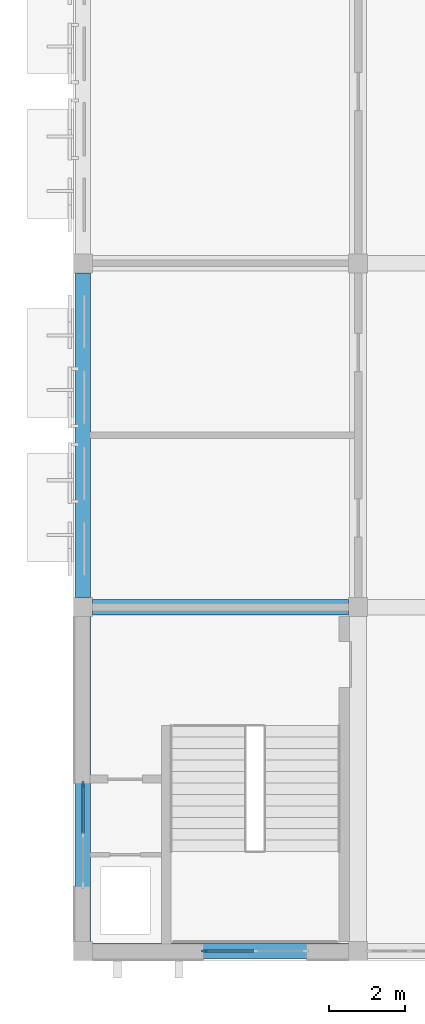
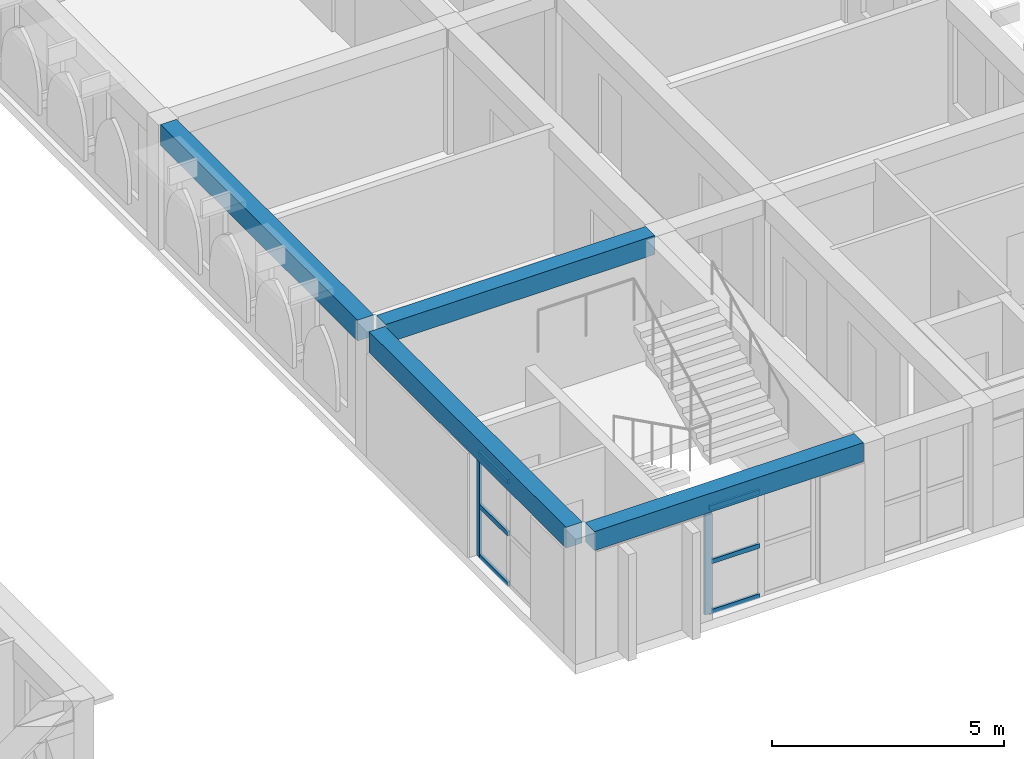
# One storey, part 23 of 65: 8 members, 4 beams, 2 elements without a shape of their own.
"""IFC4 building model written with IfcOpenShell, lengths in metres."""

import ifcopenshell
import ifcopenshell.guid

model = None  # the IFC model being written
_history = None  # IfcOwnerHistory: only IFC2X3 demands one
_inside = {}  # id of a spatial element -> (the spatial element, [elements in it])
_under = {}  # id of a project, library or spatial element -> (it, [spatial elements below it])
_declared = {}  # id of a project -> (the project, [libraries it declares])
_typed = {}  # id of a type object -> (the type object, [elements of that type])
_made_of = {}  # id of a material, layer set ... -> (it, [elements and type objects made of it])


def new_model(schema):
    """Start an empty IFC model of exactly this schema.

    Asked for "IFC4X3", IfcOpenShell would pick the latest addendum, in which some entities
    have other attributes; the version numbers below select the first issue.
    IFC2X3 requires an IfcOwnerHistory on every rooted entity: one is made here for all.
    """
    global model, _history
    if schema == "IFC4X3":
        model = ifcopenshell.file(schema_version=(4, 3, 0, 0))
    else:
        model = ifcopenshell.file(schema=schema)
    _inside.clear()
    _under.clear()
    _declared.clear()
    _typed.clear()
    _made_of.clear()
    _history = None
    if model.schema == "IFC2X3":
        org = make("IfcOrganization", Name="unknown")
        user = make(
            "IfcPersonAndOrganization",
            ThePerson=make("IfcPerson", FamilyName="unknown"),
            TheOrganization=org,
        )
        app = make(
            "IfcApplication",
            ApplicationDeveloper=org,
            Version="unknown",
            ApplicationFullName="unknown",
            ApplicationIdentifier="unknown",
        )
        _history = make(
            "IfcOwnerHistory",
            OwningUser=user,
            OwningApplication=app,
            ChangeAction="ADDED",
            CreationDate=0,
        )
    return model


def make(cls, **values):
    """One entity of the class cls with the attributes given. An attribute that is None is left unset."""
    return model.create_entity(
        cls, **{name: value for name, value in values.items() if value is not None}
    )


def rooted(cls, **values):
    """An entity with a GlobalId (a new one), such as an element, a storey or a relation."""
    return make(cls, GlobalId=ifcopenshell.guid.new(), OwnerHistory=_history, **values)


def si_unit(unit_type, name, prefix=None):
    """IfcSIUnit, for example si_unit("LENGTHUNIT", "METRE", prefix="MILLI")."""
    return make("IfcSIUnit", UnitType=unit_type, Prefix=prefix, Name=name)


def assignment(units):
    """IfcUnitAssignment: the units of a project."""
    return None if units is None else make("IfcUnitAssignment", Units=units)


def point(xyz):
    """IfcCartesianPoint."""
    return None if xyz is None else make("IfcCartesianPoint", Coordinates=xyz)


def direction(xyz):
    """IfcDirection."""
    return None if xyz is None else make("IfcDirection", DirectionRatios=xyz)


def frame(location, z_axis=None, x_axis=None):
    """IfcAxis2Placement3D, a coordinate frame: its origin and axes. An axis left out is left unset."""
    return make(
        "IfcAxis2Placement3D",
        Location=point(location),
        Axis=direction(z_axis),
        RefDirection=direction(x_axis),
    )


def frame_2d(location, x_axis=None):
    """IfcAxis2Placement2D, a coordinate frame in the plane: its origin and x axis."""
    return make(
        "IfcAxis2Placement2D", Location=point(location), RefDirection=direction(x_axis)
    )


def origin():
    """The frame at (0, 0, 0) with its axes left unset."""
    return frame((0.0, 0.0, 0.0))


def origin_2d():
    """The frame at (0, 0) in the plane with its x axis left unset."""
    return frame_2d((0.0, 0.0))


def place(relative_to, where):
    """IfcLocalPlacement: puts the frame where relative to a parent placement (None: the world)."""
    return make(
        "IfcLocalPlacement", PlacementRelTo=relative_to, RelativePlacement=where
    )


def context(
    kind, dimensions, precision=None, world=None, true_north=None, identifier=None
):
    """IfcGeometricRepresentationContext, for example the 3D "Model" context."""
    return make(
        "IfcGeometricRepresentationContext",
        ContextIdentifier=identifier,
        ContextType=kind,
        CoordinateSpaceDimension=dimensions,
        Precision=precision,
        WorldCoordinateSystem=world,
        TrueNorth=true_north,
    )


def subcontext(parent, identifier, kind, view, scale=None):
    """IfcGeometricRepresentationSubContext, for example "Body" below "Model"."""
    return make(
        "IfcGeometricRepresentationSubContext",
        ContextIdentifier=identifier,
        ContextType=kind,
        ParentContext=parent,
        TargetScale=scale,
        TargetView=view,
    )


def project(units=None, contexts=None):
    """IfcProject with its units and contexts."""
    return rooted(
        "IfcProject",
        Name="project",
        RepresentationContexts=contexts,
        UnitsInContext=assignment(units),
    )


def spatial(cls, under=None, at=None, **own):
    """A site, building, storey or space (cls), placed at a placement, below another one or the project."""
    s = rooted(cls, ObjectPlacement=at, **own)
    if under is not None:
        _under.setdefault(under.id(), (under, []))[1].append(s)
    return s


def profile(cls, at=None, kind="AREA", **sizes):
    """A parametric profile (cls). Its sizes go by their IFC names, for example OverallWidth=200.0."""
    return make(cls, ProfileType=kind, Position=at, **sizes)


def rectangle(**sizes):
    """IfcRectangleProfileDef."""
    return profile("IfcRectangleProfileDef", **sizes)


def extrude(swept, where, along, depth):
    """IfcExtrudedAreaSolid: the profile swept, set in the frame where, extruded along a direction by depth."""
    return make(
        "IfcExtrudedAreaSolid",
        SweptArea=swept,
        Position=where,
        ExtrudedDirection=direction(along),
        Depth=depth,
    )


def shape(context_of_items, identifier, shape_type, items):
    """IfcShapeRepresentation: the items that make up one representation, for example the "Body"."""
    return make(
        "IfcShapeRepresentation",
        ContextOfItems=context_of_items,
        RepresentationIdentifier=identifier,
        RepresentationType=shape_type,
        Items=items,
    )


def material(Name=None, Category=None):
    """IfcMaterial."""
    return make("IfcMaterial", Name=Name, Category=Category)


def layer(
    of_material, thickness, ventilated=None, Name=None, Category=None, Priority=None
):
    """IfcMaterialLayer: one layer of a wall or slab, of a material (None: an air gap)."""
    return make(
        "IfcMaterialLayer",
        Material=of_material,
        LayerThickness=thickness,
        IsVentilated=ventilated,
        Name=Name,
        Category=Category,
        Priority=Priority,
    )


def layer_set(layers, Name=None):
    """IfcMaterialLayerSet."""
    return make("IfcMaterialLayerSet", MaterialLayers=layers, LayerSetName=Name)


def material_profile(
    of_material, cross_section, Name=None, Category=None, Priority=None
):
    """IfcMaterialProfile: a cross section and its material."""
    return make(
        "IfcMaterialProfile",
        Name=Name,
        Material=of_material,
        Profile=cross_section,
        Priority=Priority,
        Category=Category,
    )


def profile_set(profiles, Name=None, composite=None):
    """IfcMaterialProfileSet."""
    return make(
        "IfcMaterialProfileSet",
        Name=Name,
        MaterialProfiles=profiles,
        CompositeProfile=composite,
    )


def made_of(thing, what):
    """Note that an element or type object is made of a material, layer set ...; save() writes the relation."""
    if what is not None:
        _made_of.setdefault(what.id(), (what, []))[1].append(thing)
    return thing


def type_object(cls, material=None, **own):
    """A type object (cls), such as IfcWallType, which elements share."""
    return made_of(rooted(cls, **own), material)


def element(
    cls,
    number,
    at=None,
    inside=None,
    cuts=None,
    type_object=None,
    material=None,
    context=None,
    identifier="Body",
    shape_type=None,
    held_by="IfcProductDefinitionShape",
    body=None,
    shapes=None,
    **own,
):
    """One element of the class cls, such as IfcWall. Its Tag is "e" and its number.

    at: its placement. inside: the storey or other place that contains it. cuts: it is an
    opening in that element (IfcRelVoidsElement). A single representation is given by context,
    identifier, shape_type and body (its items); several are given by shapes. held_by: the class
    of the entity that holds the representations. save() writes the other relations.
    """
    e = rooted(cls, Tag="e%d" % number, ObjectPlacement=at, **own)
    if body is not None:
        shapes = [shape(context, identifier, shape_type, body)]
    if shapes is not None:
        e.Representation = make(held_by, Representations=shapes)
    if inside is not None:
        _inside.setdefault(inside.id(), (inside, []))[1].append(e)
    if cuts is not None:
        rooted(
            "IfcRelVoidsElement", RelatingBuildingElement=cuts, RelatedOpeningElement=e
        )
    if type_object is not None:
        _typed.setdefault(type_object.id(), (type_object, []))[1].append(e)
    return made_of(e, material)


def aggregate(whole, parts):
    """IfcRelAggregates: a whole, such as a stair, and the parts it consists of."""
    return rooted("IfcRelAggregates", RelatingObject=whole, RelatedObjects=parts)


def save(model, path):
    """Write the relations noted so far, then the file.

    IfcRelAggregates (storeys below a building ...), IfcRelContainedInSpatialStructure (elements
    in a storey), IfcRelDefinesByType, IfcRelAssociatesMaterial and IfcRelDeclares: one each for
    every whole, place, type object, material and project.
    """
    for whole, parts in _under.values():
        aggregate(whole, parts)
    for where, things in _inside.values():
        rooted(
            "IfcRelContainedInSpatialStructure",
            RelatedElements=things,
            RelatingStructure=where,
        )
    for kind, things in _typed.values():
        rooted("IfcRelDefinesByType", RelatedObjects=things, RelatingType=kind)
    for what, things in _made_of.values():
        rooted("IfcRelAssociatesMaterial", RelatedObjects=things, RelatingMaterial=what)
    for by, libraries in _declared.values():
        rooted("IfcRelDeclares", RelatingContext=by, RelatedDefinitions=libraries)
    model.write(path)


model = new_model("IFC4")

# Units and contexts
model_context = context("Model", 3, precision=1e-05, world=origin(), true_north=direction((0.0, 1.0)))
body_context = subcontext(model_context, "Body", "Model", "MODEL_VIEW")
ifc_project = project(units=[si_unit("LENGTHUNIT", "METRE"), si_unit("AREAUNIT", "SQUARE_METRE"), si_unit("VOLUMEUNIT", "CUBIC_METRE"), si_unit("PLANEANGLEUNIT", "RADIAN"), si_unit("MASSUNIT", "GRAM", prefix="KILO")], contexts=[model_context])

# Site, building, storey
site_placement = place(None, origin())
site = spatial("IfcSite", under=ifc_project, at=site_placement, CompositionType="ELEMENT")
building_placement = place(site_placement, origin())
building = spatial("IfcBuilding", under=site, at=building_placement, Name="Elbe Cascade School", CompositionType="ELEMENT")
storey_placement = place(building_placement, frame((0.0, 0.0, 11.699951171875)))
storey = spatial("IfcBuildingStorey", under=building, at=storey_placement, Name="L03", CompositionType="ELEMENT", Elevation=11.699951171875)

# Curtain wall, member
ifc_material_1 = material(Name="Aluminium frame with double glazing, bronze anodised", Category="aluminium")
ifc_layer = layer(ifc_material_1, 0.159912109375)
ifc_layer_set = layer_set([ifc_layer], Name="Aluminium frame with double glazing, bronze anodised")
curtain_wall_type = type_object("IfcCurtainWallType", Name="Bars envelope Curtain wall, aluminium, bronze anodised, storey-high slot", PredefinedType="NOTDEFINED", material=ifc_layer_set)
curtain_wall_1_placement = place(storey_placement, origin())
curtain_wall_1 = element("IfcCurtainWall", 1, at=curtain_wall_1_placement, inside=storey, type_object=curtain_wall_type, Name="Curtain wall CW4 B.L03.w1", PredefinedType="NOTDEFINED")
ifc_material_2 = material(Name="Aluminium mullion, bronze anodised", Category="aluminium")
ifc_material_profile_1 = material_profile(ifc_material_2, rectangle(XDim=0.06005859375, YDim=0.159912109375, at=origin_2d()), Name="Bars envelope Curtain wall mullion 60 x 160, aluminium, storey-high slot")
ifc_profile_set_1 = profile_set([ifc_material_profile_1], Name="Aluminium mullion, bronze anodised")
member_type_1 = type_object("IfcMemberType", Name="Bars envelope Curtain wall mullion 60 x 160, aluminium, storey-high slot", PredefinedType="MULLION", material=ifc_profile_set_1)
member_1_placement = place(storey_placement, frame((98.60009765625, 10.360107421875, 0.0), z_axis=(0.0, 0.0, 1.0), x_axis=(-1.0, 0.0, 0.0)))
member_1 = element("IfcMember", 2, at=member_1_placement, type_object=member_type_1, Name="CW4 mullion 3", PredefinedType="MULLION", context=body_context, shape_type="SweptSolid", body=[
    extrude(rectangle(XDim=0.06005859375, YDim=0.159912109375, at=origin_2d()), origin(), (0.0, 0.0, 1.0), 2.75),
])

curtain_wall_2_placement = place(storey_placement, origin())
curtain_wall_2 = element("IfcCurtainWall", 3, at=curtain_wall_2_placement, inside=storey, type_object=curtain_wall_type, Name="Curtain wall CW4 B.L03.s1", PredefinedType="NOTDEFINED")
member_2_placement = place(storey_placement, frame((101.780029296875, 6.0, 0.0), z_axis=(0.0, 0.0, 1.0), x_axis=(0.0, -1.0, 0.0)))
member_2 = element("IfcMember", 4, at=member_2_placement, type_object=member_type_1, Name="CW4 mullion 3", PredefinedType="MULLION", context=body_context, shape_type="SweptSolid", body=[
    extrude(rectangle(XDim=0.06005859375, YDim=0.159912109375, at=origin_2d()), origin(), (0.0, 0.0, 1.0), 2.800048828125),
])

# Member
ifc_material_3 = material(Name="Aluminium transom, bronze anodised", Category="aluminium")
ifc_material_profile_2 = material_profile(ifc_material_3, rectangle(XDim=0.06005859375, YDim=0.1201171875, at=origin_2d()), Name="Bars envelope Curtain wall transom 60 x 120, aluminium, storey-high slot")
ifc_profile_set_2 = profile_set([ifc_material_profile_2], Name="Aluminium transom, bronze anodised")
member_type_2 = type_object("IfcMemberType", Name="Bars envelope Curtain wall transom 60 x 120, aluminium, storey-high slot", PredefinedType="USERDEFINED", material=ifc_profile_set_2)
member_3_placement = place(storey_placement, frame((98.60009765625, 9.070068359375, 0.030029296875), z_axis=(0.0, 1.0, 0.0), x_axis=(-1.0, 0.0, 0.0)))
member_3 = element("IfcMember", 5, at=member_3_placement, type_object=member_type_2, Name="CW4 transom 2.1", ObjectType="TRANSOM", PredefinedType="USERDEFINED", context=body_context, shape_type="SweptSolid", body=[
    extrude(rectangle(XDim=0.06005859375, YDim=0.1201171875, at=origin_2d()), origin(), (0.0, 0.0, 1.0), 1.260009765625),
])

member_4_placement = place(storey_placement, frame((98.60009765625, 9.070068359375, 1.35009765625), z_axis=(0.0, 1.0, 0.0), x_axis=(-1.0, 0.0, 0.0)))
member_4 = element("IfcMember", 6, at=member_4_placement, type_object=member_type_2, Name="CW4 transom 2.2", ObjectType="TRANSOM", PredefinedType="USERDEFINED", context=body_context, shape_type="SweptSolid", body=[
    extrude(rectangle(XDim=0.06005859375, YDim=0.1201171875, at=origin_2d()), origin(), (0.0, 0.0, 1.0), 1.260009765625),
])

member_5_placement = place(storey_placement, frame((98.60009765625, 9.070068359375, 2.719970703125), z_axis=(0.0, 1.0, 0.0), x_axis=(-1.0, 0.0, 0.0)))
member_5 = element("IfcMember", 7, at=member_5_placement, type_object=member_type_2, Name="CW4 transom 2.3", ObjectType="TRANSOM", PredefinedType="USERDEFINED", context=body_context, shape_type="SweptSolid", body=[
    extrude(rectangle(XDim=0.06005859375, YDim=0.1201171875, at=origin_2d()), origin(), (0.0, 0.0, 1.0), 1.260009765625),
])

aggregate(curtain_wall_1, [member_1, member_3, member_4, member_5])

member_6_placement = place(storey_placement, frame((103.070068359375, 6.0, 0.030029296875), z_axis=(-1.0, 0.0, 0.0), x_axis=(0.0, -1.0, 0.0)))
member_6 = element("IfcMember", 8, at=member_6_placement, type_object=member_type_2, Name="CW4 transom 2.1", ObjectType="TRANSOM", PredefinedType="USERDEFINED", context=body_context, shape_type="SweptSolid", body=[
    extrude(rectangle(XDim=0.06005859375, YDim=0.1201171875, at=origin_2d()), origin(), (0.0, 0.0, 1.0), 1.260009765625),
])

member_7_placement = place(storey_placement, frame((103.070068359375, 6.0, 1.35009765625), z_axis=(-1.0, 0.0, 0.0), x_axis=(0.0, -1.0, 0.0)))
member_7 = element("IfcMember", 9, at=member_7_placement, type_object=member_type_2, Name="CW4 transom 2.2", ObjectType="TRANSOM", PredefinedType="USERDEFINED", context=body_context, shape_type="SweptSolid", body=[
    extrude(rectangle(XDim=0.06005859375, YDim=0.1201171875, at=origin_2d()), origin(), (0.0, 0.0, 1.0), 1.260009765625),
])

member_8_placement = place(storey_placement, frame((103.070068359375, 6.0, 2.77001953125), z_axis=(-1.0, 0.0, 0.0), x_axis=(0.0, -1.0, 0.0)))
member_8 = element("IfcMember", 10, at=member_8_placement, type_object=member_type_2, Name="CW4 transom 2.3", ObjectType="TRANSOM", PredefinedType="USERDEFINED", context=body_context, shape_type="SweptSolid", body=[
    extrude(rectangle(XDim=0.06005859375, YDim=0.1201171875, at=origin_2d()), origin(), (0.0, 0.0, 1.0), 1.260009765625),
])

aggregate(curtain_wall_2, [member_2, member_6, member_7, member_8])

# Beams
ifc_material_4 = material(Name="Concrete C30/37", Category="concrete")
ifc_material_profile_3 = material_profile(ifc_material_4, rectangle(XDim=0.39990234375, YDim=0.5, at=origin_2d()), Name="RC 400x500")
ifc_profile_set_3 = profile_set([ifc_material_profile_3], Name="Concrete C30/37")
beam_type_1 = type_object("IfcBeamType", Name="RC 400x500 beam", PredefinedType="BEAM", material=ifc_profile_set_3)
for number, where, z_axis, x_axis, name in (
    (11, (98.85009765625, 6.0, 3.050048828125), (1.0, 0.0, 0.0), (0.0, 1.0, 0.0), "RC 400x500 beam B1"),
    (12, (98.85009765625, 15.0, 3.050048828125), (1.0, 0.0, 0.0), (0.0, 1.0, 0.0), "RC 400x500 beam B1"),
):
    element("IfcBeam", number, at=place(storey_placement, frame(where, z_axis=z_axis, x_axis=x_axis)), inside=storey, type_object=beam_type_1, Name=name, PredefinedType="BEAM", context=body_context, shape_type="SweptSolid", body=[
        extrude(rectangle(XDim=0.39990234375, YDim=0.5, at=origin_2d()), origin(), (0.0, 0.0, 1.0), 6.699951171875),
    ])
ifc_material_5 = material(Name="Concrete C30/37", Category="concrete")
ifc_material_profile_4 = material_profile(ifc_material_5, rectangle(XDim=0.39990234375, YDim=0.550048828125, at=origin_2d()), Name="RC 400x550")
ifc_profile_set_4 = profile_set([ifc_material_profile_4], Name="Concrete C30/37")
beam_type_2 = type_object("IfcBeamType", Name="RC 400x550 beam", PredefinedType="BEAM", material=ifc_profile_set_4)
for number, where, z_axis, x_axis, name in (
    (13, (98.60009765625, 6.25, 3.025146484375), (0.0, 1.0, 0.0), (-1.0, 0.0, 0.0), "RC 400x550 beam B4"),
    (14, (98.60009765625, 15.25, 3.025146484375), (0.0, 1.0, 0.0), (-1.0, 0.0, 0.0), "RC 400x550 beam B4"),
):
    element("IfcBeam", number, at=place(storey_placement, frame(where, z_axis=z_axis, x_axis=x_axis)), inside=storey, type_object=beam_type_2, Name=name, PredefinedType="BEAM", context=body_context, shape_type="SweptSolid", body=[
        extrude(rectangle(XDim=0.39990234375, YDim=0.550048828125, at=origin_2d()), origin(), (0.0, 0.0, 1.0), 8.5),
    ])

save(model, "model.ifc")
